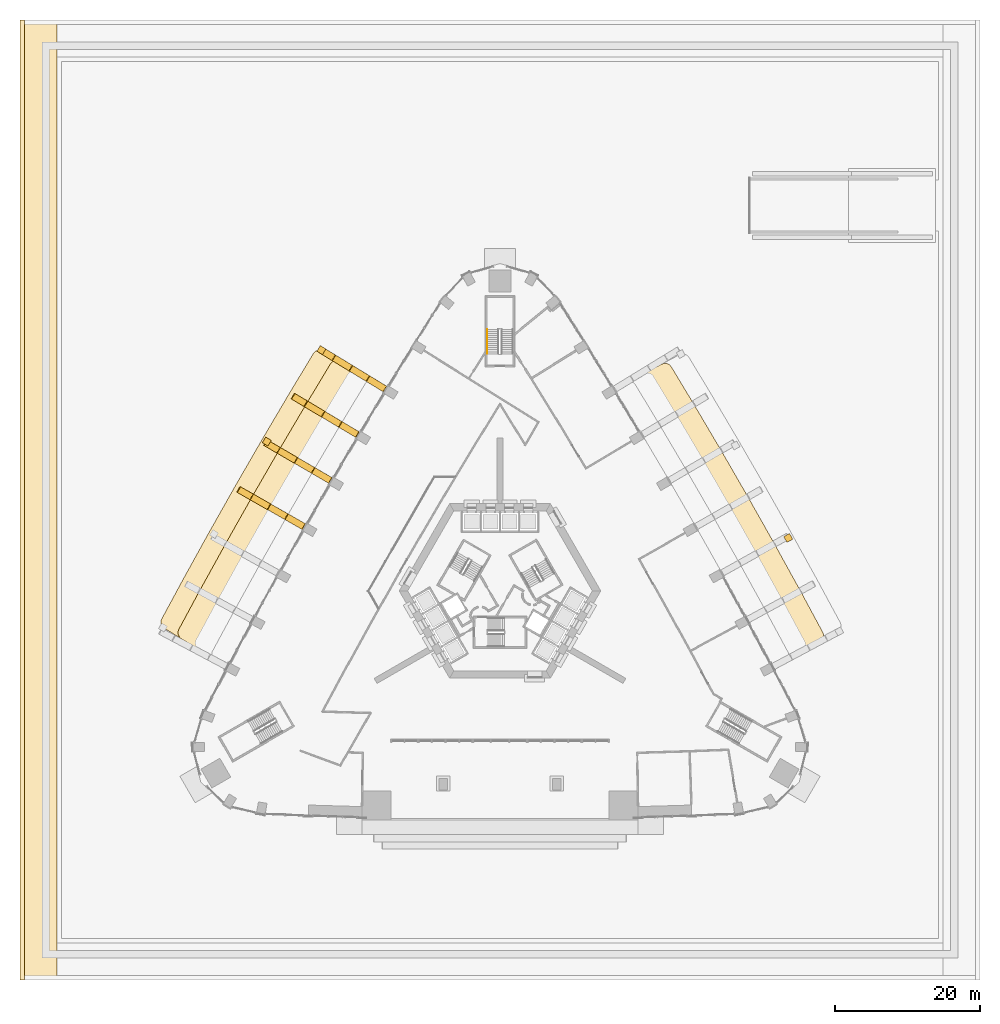
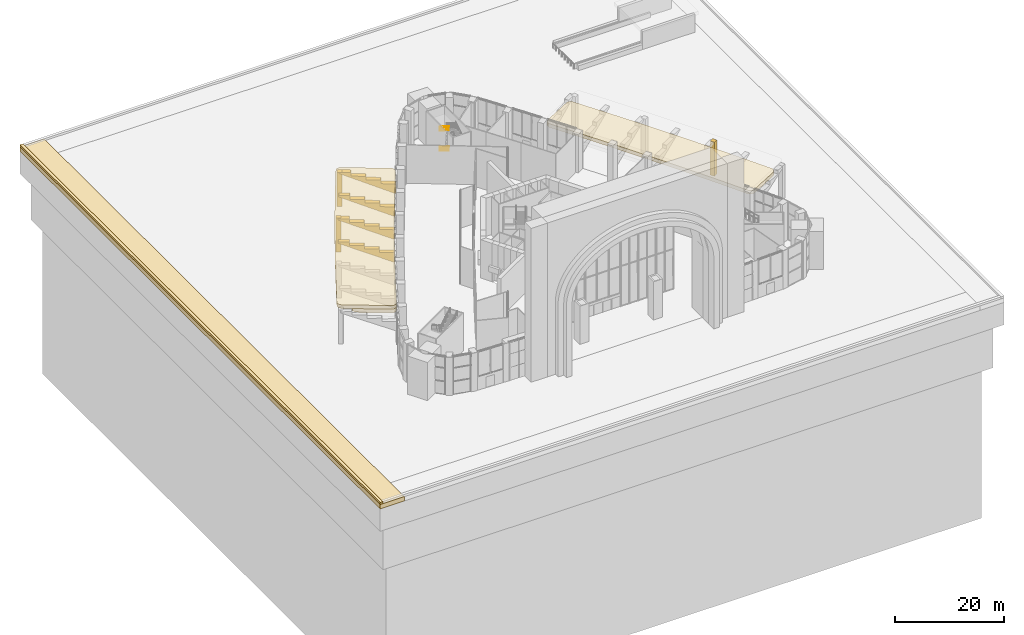
# One storey, part 32 of 36: 12 coverings, 2 railings.
"""IFC4 building model written with IfcOpenShell, lengths in metres."""

from ifc_helpers import new_model, si_unit, direction, frame, origin, origin_2d, place, context, subcontext, project, spatial, polyline, rectangle, circle, outline, extrude, material, layer, layer_set, type_object, element, save


model = new_model("IFC4")

# Units and contexts
model_context = context("Model", 3, precision=1e-05, world=origin(), true_north=direction((0.0, 1.0)))
body_context = subcontext(model_context, "Body", "Model", "MODEL_VIEW")
ifc_project = project(units=[si_unit("LENGTHUNIT", "METRE"), si_unit("AREAUNIT", "SQUARE_METRE"), si_unit("VOLUMEUNIT", "CUBIC_METRE"), si_unit("PLANEANGLEUNIT", "RADIAN"), si_unit("MASSUNIT", "GRAM", prefix="KILO")], contexts=[model_context])

# Site, building, storey
site_placement = place(None, origin())
site = spatial("IfcSite", under=ifc_project, at=site_placement, CompositionType="ELEMENT")
building_placement = place(site_placement, origin())
building = spatial("IfcBuilding", under=site, at=building_placement, Name="Entoto Arch Interchange Tower", CompositionType="ELEMENT")
storey_placement = place(building_placement, origin())
storey = spatial("IfcBuildingStorey", under=building, at=storey_placement, Name="L00", CompositionType="ELEMENT", Elevation=0.0)

# Coverings
ifc_material_1 = material(Name="Board-marked precast concrete C50/60", Category="concrete")
covering_type_1 = type_object("IfcCoveringType", Name="PRECAST FRAME COURSE", PredefinedType="CLADDING", material=ifc_material_1)
covering_1_placement = place(storey_placement, frame((0.0, 0.0, 6.800048828125)))
element("IfcCovering", 1, at=covering_1_placement, inside=storey, type_object=covering_type_1, Name="Street brow NE 2", PredefinedType="CLADDING", context=body_context, shape_type="SweptSolid", body=[
    extrude(outline(polyline([(26.617919921875, 28.23388671875), (26.6201171875, 28.22998046875), (26.657958984375, 28.166015625), (26.660888671875, 28.162109375), (30.3798828125, 21.861083984375), (30.383056640625, 21.85693359375), (30.419921875, 21.7919921875), (30.423095703125, 21.7880859375), (34.080078125, 15.452880859375), (34.0830078125, 15.448974609375), (34.1201171875, 15.383056640625), (34.123046875, 15.37890625), (37.718994140625, 9.007080078125), (37.721923828125, 9.0029296875), (37.758056640625, 8.93798828125), (37.760009765625, 8.93408203125), (41.294921875, 2.529052734375), (41.297119140625, 2.52490234375), (41.3330078125, 2.458984375), (41.3359375, 2.455078125), (44.35595703125, -3.14599609375), (44.39794921875, -3.23388671875), (44.431884765625, -3.326904296875), (44.4560546875, -3.423095703125), (44.469970703125, -3.52001953125), (44.47509765625, -3.617919921875), (44.470947265625, -3.717041015625), (44.4560546875, -3.81396484375), (44.43310546875, -3.909912109375), (44.39892578125, -4.0029296875), (44.35693359375, -4.092041015625), (44.306884765625, -4.176025390625), (44.248046875, -4.2548828125), (44.181884765625, -4.327880859375), (44.10888671875, -4.39404296875), (44.029052734375, -4.452880859375), (43.945068359375, -4.5029296875), (38.426025390625, -7.43701171875), (38.3369140625, -7.47802734375), (38.2451171875, -7.510986328125), (38.14990234375, -7.534912109375), (38.053955078125, -7.549072265625), (37.9560546875, -7.552978515625), (37.85791015625, -7.549072265625), (37.761962890625, -7.533935546875), (37.6669921875, -7.510986328125), (37.574951171875, -7.47802734375), (37.486083984375, -7.43603515625), (37.402099609375, -7.385986328125), (37.323974609375, -7.327880859375), (37.2509765625, -7.261962890625), (37.18505859375, -7.18994140625), (37.126953125, -7.112060546875), (37.075927734375, -7.028076171875), (34.074951171875, -1.462890625), (30.5380859375, 4.946044921875), (26.93896484375, 11.322021484375), (23.279052734375, 17.660888671875), (19.556884765625, 23.966064453125), (16.319091796875, 29.333984375), (16.27294921875, 29.41796875), (16.236083984375, 29.506103515625), (16.20703125, 29.596923828125), (16.18798828125, 29.69091796875), (16.177001953125, 29.785888671875), (16.175048828125, 29.881103515625), (16.18310546875, 29.97607421875), (16.198974609375, 30.071044921875), (16.22509765625, 30.1630859375), (16.259033203125, 30.251953125), (16.301025390625, 30.337890625), (16.35205078125, 30.4189453125), (16.409912109375, 30.4951171875), (16.47509765625, 30.56494140625), (16.5458984375, 30.6279296875), (16.623046875, 30.68505859375), (16.705078125, 30.73388671875), (22.23291015625, 33.6708984375), (22.323974609375, 33.714111328125), (22.4189453125, 33.7470703125), (22.51806640625, 33.77099609375), (22.617919921875, 33.784912109375), (22.718994140625, 33.7880859375), (22.820068359375, 33.781005859375), (22.9189453125, 33.763916015625), (23.01708984375, 33.737060546875), (23.111083984375, 33.700927734375), (23.200927734375, 33.655029296875), (23.285888671875, 33.60009765625), (23.364990234375, 33.537109375), (23.43701171875, 33.466064453125), (23.501953125, 33.387939453125), (23.55810546875, 33.304931640625), (26.617919921875, 28.23388671875)])), origin(), (0.0, 0.0, 1.0), 0.800048828125),
])
covering_2_placement = place(storey_placement, origin())
element("IfcCovering", 2, at=covering_2_placement, inside=storey, type_object=covering_type_1, Name="Brow post NE04", PredefinedType="CLADDING", context=body_context, shape_type="SweptSolid", body=[
    extrude(outline(polyline([(39.445068359375, 9.175048828125), (40.239990234375, 9.597900390625), (39.81689453125, 10.39208984375), (39.02294921875, 9.969970703125), (39.445068359375, 9.175048828125)])), origin(), (0.0, 0.0, 1.0), 7.60009765625),
])
covering_3_placement = place(storey_placement, frame((0.0, 0.0, 7.60009765625)))
element("IfcCovering", 3, at=covering_3_placement, inside=storey, type_object=covering_type_1, Name="Street brow NW 1", PredefinedType="CLADDING", context=body_context, shape_type="SweptSolid", body=[
    extrude(outline(polyline([(-43.756103515625, 3.760009765625), (-43.75390625, 3.763916015625), (-43.705078125, 3.85400390625), (-43.702880859375, 3.85791015625), (-40.16796875, 10.262939453125), (-40.166015625, 10.26708984375), (-40.115966796875, 10.35498046875), (-40.114013671875, 10.35888671875), (-36.51708984375, 16.73095703125), (-36.514892578125, 16.735107421875), (-36.464111328125, 16.823974609375), (-36.4619140625, 16.827880859375), (-32.803955078125, 23.1630859375), (-32.802001953125, 23.1669921875), (-32.7509765625, 23.2548828125), (-32.748046875, 23.259033203125), (-29.029052734375, 29.56005859375), (-29.02587890625, 29.56396484375), (-28.97509765625, 29.65087890625), (-28.971923828125, 29.655029296875), (-25.677978515625, 35.114013671875), (-25.623046875, 35.196044921875), (-25.56005859375, 35.27197265625), (-25.490966796875, 35.341064453125), (-25.4140625, 35.403076171875), (-25.33203125, 35.4580078125), (-25.2451171875, 35.50390625), (-25.154052734375, 35.541015625), (-25.05908203125, 35.569091796875), (-24.962890625, 35.5869140625), (-24.864990234375, 35.595947265625), (-24.76611328125, 35.595947265625), (-24.66796875, 35.5849609375), (-24.572021484375, 35.56591796875), (-24.47802734375, 35.535888671875), (-24.386962890625, 35.498046875), (-24.300048828125, 35.450927734375), (-16.62109375, 30.757080078125), (-16.5400390625, 30.701904296875), (-16.465087890625, 30.638916015625), (-16.39697265625, 30.569091796875), (-16.3349609375, 30.492919921875), (-16.281982421875, 30.412109375), (-16.236083984375, 30.324951171875), (-16.198974609375, 30.23388671875), (-16.1708984375, 30.14111328125), (-16.153076171875, 30.044921875), (-16.14404296875, 29.947021484375), (-16.14404296875, 29.85009765625), (-16.154052734375, 29.751953125), (-16.174072265625, 29.656005859375), (-16.202880859375, 29.56298828125), (-16.239990234375, 29.472900390625), (-16.287109375, 29.386962890625), (-19.552978515625, 23.97412109375), (-23.27490234375, 17.6689453125), (-26.93505859375, 11.330078125), (-30.533935546875, 4.9541015625), (-34.071044921875, -1.455078125), (-37.047119140625, -6.97412109375), (-37.095947265625, -7.055908203125), (-37.153076171875, -7.132080078125), (-37.217041015625, -7.202880859375), (-37.2880859375, -7.26806640625), (-37.364013671875, -7.325927734375), (-37.445068359375, -7.375), (-37.531005859375, -7.4169921875), (-37.62109375, -7.450927734375), (-37.712890625, -7.47607421875), (-37.806884765625, -7.491943359375), (-37.902099609375, -7.4990234375), (-37.998046875, -7.4970703125), (-38.093017578125, -7.485107421875), (-38.18603515625, -7.465087890625), (-38.277099609375, -7.43603515625), (-38.364990234375, -7.39794921875), (-38.448974609375, -7.35205078125), (-46.138916015625, -2.652099609375), (-46.221923828125, -2.594970703125), (-46.300048828125, -2.529052734375), (-46.3701171875, -2.45703125), (-46.43310546875, -2.3779296875), (-46.487060546875, -2.2919921875), (-46.531982421875, -2.201904296875), (-46.568115234375, -2.10791015625), (-46.594970703125, -2.010009765625), (-46.611083984375, -1.909912109375), (-46.616943359375, -1.80908203125), (-46.613037109375, -1.7080078125), (-46.59912109375, -1.60791015625), (-46.574951171875, -1.510009765625), (-46.541015625, -1.4150390625), (-46.498046875, -1.323974609375), (-43.756103515625, 3.760009765625)])), origin(), (0.0, 0.0, 1.0), 0.7998046875),
])
covering_4_placement = place(storey_placement, frame((0.0, 0.0, 6.800048828125)))
element("IfcCovering", 4, at=covering_4_placement, inside=storey, type_object=covering_type_1, Name="Street brow NW 2", PredefinedType="CLADDING", context=body_context, shape_type="SweptSolid", body=[
    extrude(outline(polyline([(-41.3359375, 2.455078125), (-41.3330078125, 2.458984375), (-41.297119140625, 2.52490234375), (-41.294921875, 2.529052734375), (-37.760009765625, 8.93408203125), (-37.758056640625, 8.93798828125), (-37.721923828125, 9.0029296875), (-37.718994140625, 9.007080078125), (-34.123046875, 15.37890625), (-34.1201171875, 15.383056640625), (-34.0830078125, 15.448974609375), (-34.080078125, 15.452880859375), (-30.423095703125, 21.7880859375), (-30.419921875, 21.7919921875), (-30.383056640625, 21.85693359375), (-30.3798828125, 21.861083984375), (-26.660888671875, 28.162109375), (-26.657958984375, 28.166015625), (-26.6201171875, 28.22998046875), (-26.617919921875, 28.23388671875), (-23.33203125, 33.679931640625), (-23.277099609375, 33.760986328125), (-23.214111328125, 33.8369140625), (-23.14404296875, 33.906982421875), (-23.068115234375, 33.968994140625), (-22.986083984375, 34.02294921875), (-22.89892578125, 34.069091796875), (-22.806884765625, 34.10595703125), (-22.712890625, 34.135009765625), (-22.615966796875, 34.153076171875), (-22.51806640625, 34.162109375), (-22.419921875, 34.162109375), (-22.322021484375, 34.15087890625), (-22.22509765625, 34.131103515625), (-22.131103515625, 34.10205078125), (-22.0400390625, 34.06298828125), (-21.9541015625, 34.01611328125), (-16.62109375, 30.757080078125), (-16.5400390625, 30.701904296875), (-16.465087890625, 30.638916015625), (-16.39697265625, 30.569091796875), (-16.3349609375, 30.492919921875), (-16.281982421875, 30.412109375), (-16.236083984375, 30.324951171875), (-16.198974609375, 30.23388671875), (-16.1708984375, 30.14111328125), (-16.153076171875, 30.044921875), (-16.14404296875, 29.947021484375), (-16.14404296875, 29.85009765625), (-16.154052734375, 29.751953125), (-16.174072265625, 29.656005859375), (-16.202880859375, 29.56298828125), (-16.239990234375, 29.472900390625), (-16.287109375, 29.386962890625), (-19.552978515625, 23.97412109375), (-23.27490234375, 17.6689453125), (-26.93505859375, 11.330078125), (-30.533935546875, 4.9541015625), (-34.071044921875, -1.455078125), (-37.047119140625, -6.97412109375), (-37.095947265625, -7.055908203125), (-37.153076171875, -7.132080078125), (-37.217041015625, -7.202880859375), (-37.2880859375, -7.26806640625), (-37.364013671875, -7.325927734375), (-37.445068359375, -7.375), (-37.531005859375, -7.4169921875), (-37.62109375, -7.450927734375), (-37.712890625, -7.47607421875), (-37.806884765625, -7.491943359375), (-37.902099609375, -7.4990234375), (-37.998046875, -7.4970703125), (-38.093017578125, -7.485107421875), (-38.18603515625, -7.465087890625), (-38.277099609375, -7.43603515625), (-38.364990234375, -7.39794921875), (-38.448974609375, -7.35205078125), (-43.7890625, -4.087890625), (-43.873046875, -4.031005859375), (-43.949951171875, -3.966064453125), (-44.02001953125, -3.89306640625), (-44.0830078125, -3.81396484375), (-44.136962890625, -3.72900390625), (-44.18310546875, -3.637939453125), (-44.218994140625, -3.5439453125), (-44.2451171875, -3.446044921875), (-44.260986328125, -3.346923828125), (-44.26806640625, -3.24609375), (-44.263916015625, -3.14501953125), (-44.2490234375, -3.044921875), (-44.22509765625, -2.947021484375), (-44.19091796875, -2.85107421875), (-44.14794921875, -2.760009765625), (-41.3359375, 2.455078125)])), origin(), (0.0, 0.0, 1.0), 0.800048828125),
])
covering_5_placement = place(storey_placement, frame((-15.715087890625, 30.72998046875, 3.0869140625), z_axis=(0.521558469839, 0.85321021557, 0.003015059867), x_axis=(0.809764755496, -0.493881211733, -0.31680023588)))
element("IfcCovering", 5, at=covering_5_placement, inside=storey, type_object=covering_type_1, Name="Brow rib NW03", PredefinedType="CLADDING", context=body_context, shape_type="SweptSolid", body=[
    extrude(outline(polyline([(0.0, 0.0), (0.028515744523550324, 3.469446951953614e-18), (0.0583577432753828, -0.006879423477433325), (0.09622573302851531, -0.026991766888108462), (0.11820158885634213, -0.045914414866362545), (0.13668726734120693, -0.06882052741442847), (0.15496180610231106, -0.10993053616624723), (0.16122029902837434, -0.13930545272801043), (0.1565433018728774, -0.18304517267432546), (-0.4238639748886552, -1.9281801380430832), (-0.44556885793731293, -1.9672626332212784), (-0.47561719663785174, -1.9984097566440517), (-0.5136993919581329, -2.020438995070681), (-0.5577437006208031, -2.029924070954441), (-0.5857523734404919, -2.0290634406208086), (-0.6155943721923244, -2.0221840171433754), (-3.0800754439150437, -1.199034013602392), (-3.291859241701927, -1.8294539708782378), (-3.316161767245956, -1.8656098799560161), (-3.348282881316271, -1.8950354263071914), (-3.3889716168427895, -1.9131052589521782), (-3.434840353726737, -1.9176043613733629), (-3.47688490908962, -1.9099964917166568), (-5.941168284338829, -1.08691211515715), (-6.153149778599223, -1.717266445451519), (-6.17757288061096, -1.753381419144657), (-6.211757872340186, -1.78211820810546), (-6.252171567585607, -1.800022103403146), (-6.294660102385651, -1.8059087123925877), (-6.340162203640026, -1.7971449004964017), (-8.804643275362746, -0.9739948969554182), (-9.011631757079174, -1.5900578658470774), (-9.022899547841053, -1.6169252635811922), (-9.050857315750083, -1.6518596034380142), (-9.087373807404449, -1.6764710492698747), (-9.126627345536049, -1.6909014796359019), (-9.1714562779721, -1.6916299258151755), (-9.19998195229894, -1.6854492515156272), (-10.956594611575511, -1.0987301103786065), (-10.996835854217904, -1.078855266892667), (-11.028652423266808, -1.0481506557437585), (-11.051587673891554, -1.0088294140450866), (-11.059766542558853, -0.9672303384431382), (-11.059807517666222, -0.9376160425522313), (-11.053949471697903, -0.9079120608916798), (-11.039026438571023, -0.8822662323785222), (-11.0248083974233, -0.8576716631431331), (-11.001877977007489, -0.837789004656829), (-10.97808684490492, -0.8215398128535236), (-10.950244045397907, -0.811791298852452), (-10.920379121196108, -0.8070943852954318), (0.0, 0.0)])), origin(), (0.0, 0.0, -1.0), 0.89990234375),
])
covering_6_placement = place(storey_placement, origin())
element("IfcCovering", 6, at=covering_6_placement, inside=storey, type_object=covering_type_1, Name="Brow post NW03", PredefinedType="CLADDING", context=body_context, shape_type="SweptSolid", body=[
    extrude(outline(polyline([(-23.943115234375, 35.759033203125), (-24.7099609375, 36.22900390625), (-25.179931640625, 35.4609375), (-24.412109375, 34.990966796875), (-23.943115234375, 35.759033203125)])), origin(), (0.0, 0.0, 1.0), 7.60009765625),
])
covering_7_placement = place(storey_placement, frame((-19.5029296875, 24.462890625, 3.0869140625), z_axis=(0.512933442074, 0.858423421916, 0.002917654472), x_axis=(0.816517050152, -0.486838467137, -0.310303422036)))
element("IfcCovering", 7, at=covering_7_placement, inside=storey, type_object=covering_type_1, Name="Brow rib NW04", PredefinedType="CLADDING", context=body_context, shape_type="SweptSolid", body=[
    extrude(outline(polyline([(0.0, 0.0), (0.029113693885988407, -1.734723475976807e-18), (0.05760625410943953, -0.006218706478724077), (0.09779851850460868, -0.026787006621568236), (0.1219728914585121, -0.04623473804727113), (0.13921892675387024, -0.0685572419426795), (0.15681755364136446, -0.10922912129080824), (0.16188314197178932, -0.13810437670142683), (0.15762417424388311, -0.18191475524752193), (-0.41100317516738305, -1.9309226664689323), (-0.4302520852321674, -1.970866858677245), (-0.46120060041503674, -2.0018559367109563), (-0.4977385460977913, -2.0246005760934813), (-0.5435878058675351, -2.033774991508026), (-0.5704471380614411, -2.033482442674722), (-0.5991390432678395, -2.0271990508202786), (-3.0730559737347067, -1.2196685052695195), (-3.2805392022892637, -1.8515169228869082), (-3.3012522390370242, -1.8889291657820175), (-3.333967911588452, -1.918314647130383), (-3.3766009595980337, -1.935986609766485), (-3.4211623389540526, -1.9412155265126327), (-3.4640538524345894, -1.9336359296634178), (-5.934627786724963, -1.1271971307247566), (-6.1421110152795215, -1.7590455483421454), (-6.166285905251415, -1.7953266043622231), (-6.199001577802843, -1.824712085710589), (-6.237897669933949, -1.8433478324404768), (-6.28273415194431, -1.8487441519678702), (-6.325545177489541, -1.8411898002314404), (-8.797591264885215, -1.0342698133624495), (-8.998985852643253, -1.6521847080655814), (-9.011462868763461, -1.6786720118693301), (-9.037589089741854, -1.7143172640948539), (-9.074851953843414, -1.7388791684701612), (-9.116154022063025, -1.7528771608577642), (-9.158429815537312, -1.754744484271371), (-9.187116990479797, -1.7487184256866777), (-10.949196444907685, -1.1735440079988817), (-10.988100729835494, -1.154424688677159), (-11.021119015108148, -1.1236152557180836), (-11.042846142917329, -1.0849334611741153), (-11.053577018472668, -1.042651375779756), (-11.050477415475758, -1.0141295616835295), (-11.046572406124737, -0.9838157277073059), (-11.03214405899803, -0.9579642276981106), (-11.015824967191213, -0.9340130979069454), (-10.994504137805889, -0.9134930161470503), (-10.970625816989267, -0.8971465124155111), (-10.944321618475225, -0.886727574562518), (-10.914290806110166, -0.8818917552960697), (0.0, 0.0)])), origin(), (0.0, 0.0, -1.0), 0.89990234375),
])
covering_8_placement = place(storey_placement, frame((-23.22900390625, 18.157958984375, 3.0869140625), z_axis=(0.504283128731, 0.863533552226, 0.002886218547), x_axis=(0.821374542816, -0.478626276299, -0.310259162716)))
element("IfcCovering", 8, at=covering_8_placement, inside=storey, type_object=covering_type_1, Name="Brow rib NW05", PredefinedType="CLADDING", context=body_context, shape_type="SweptSolid", body=[
    extrude(outline(polyline([(0.0, 0.0), (0.029115232413463452, 0.0), (0.0566541761919674, -0.005906142022426945), (0.09605649632982405, -0.026212967769199697), (0.12043054868384767, -0.0457249578283846), (0.13620622657782838, -0.06756646556664053), (0.15587582188029797, -0.108913265790781), (0.1609445272236655, -0.13778929501834908), (0.1587561484455552, -0.1822748322283217), (-0.4131838527768049, -1.9302009258019668), (-0.43243166283629697, -1.9701455867033417), (-0.46190919788042384, -2.0016157986226983), (-0.500719809672976, -2.0236200250653082), (-0.5419544953856558, -2.0343029411707043), (-0.5742247801305699, -2.0322447121660825), (-0.6016468717908366, -2.0263773467861674), (-3.0730243192814344, -1.219803305256962), (-3.2804956206673626, -1.8516556406974343), (-3.3032807670534465, -1.8883921916101114), (-3.3359970332050293, -1.9177778784679314), (-3.377356722401852, -1.935867142248163), (-3.419375367021159, -1.9419288111653572), (-3.4630685488117257, -1.9340898649090081), (-5.935715528352241, -1.1271004260120416), (-6.14318682973817, -1.758952761452514), (-6.165971976124254, -1.795689312365191), (-6.198688242275836, -1.8250749992230104), (-6.238702652556843, -1.843347568663784), (-6.2820665760919665, -1.8492259319204365), (-6.325759757882533, -1.8413869856640879), (-8.798406737423047, -1.0343975467671216), (-8.999795348955173, -1.6523143703702599), (-9.012467796686265, -1.6787383486542051), (-9.037324598699236, -1.7147992114014103), (-9.074585851016078, -1.7393621557241632), (-9.116688393867188, -1.753101040665924), (-9.160836276308938, -1.7543581567343747), (-9.18845096695334, -1.7486841064191676), (-10.950758801229544, -1.1735266520918186), (-10.988592984098348, -1.1547588086399672), (-11.020140396553453, -1.1244308655703827), (-11.042866356739474, -1.0854255693746246), (-11.053597867110426, -1.0431437047483056), (-11.052688859475262, -1.0139068472119526), (-11.046713182646666, -0.9842684816907257), (-11.035627649977972, -0.9573252566970796), (-11.019190625322596, -0.9334131132801735), (-10.997987837543048, -0.9128536088699937), (-10.972039532704, -0.8971819196943103), (-10.945534509556019, -0.8868277528284869), (-10.914787487706366, -0.8822246953266104), (0.0, 0.0)])), origin(), (0.0, 0.0, -1.0), 0.89990234375),
])
covering_9_placement = place(storey_placement, origin())
element("IfcCovering", 9, at=covering_9_placement, inside=storey, type_object=covering_type_1, Name="Brow post NW05", PredefinedType="CLADDING", context=body_context, shape_type="SweptSolid", body=[
    extrude(outline(polyline([(-31.447021484375, 23.18603515625), (-32.214111328125, 23.656005859375), (-32.68408203125, 22.887939453125), (-31.916015625, 22.41796875), (-31.447021484375, 23.18603515625)])), origin(), (0.0, 0.0, 1.0), 7.60009765625),
])
covering_10_placement = place(storey_placement, frame((-26.89501953125, 11.820068359375, 3.0869140625), z_axis=(0.495629101998, 0.868529307869, 0.002938473198), x_axis=(0.828764271829, -0.471919583645, -0.300735246209)))
element("IfcCovering", 10, at=covering_10_placement, inside=storey, type_object=covering_type_1, Name="Brow rib NW06", PredefinedType="CLADDING", context=body_context, shape_type="SweptSolid", body=[
    extrude(outline(polyline([(0.0, 0.0), (0.030037230392500457, 0.0), (0.05959623787358523, -0.006249047133107713), (0.09813040080604339, -0.025823416307782197), (0.12122249768776838, -0.04462540027647026), (0.13961163722778241, -0.06706408245303219), (0.15810189941813707, -0.10770967594805425), (0.16230464495651833, -0.13616944721462085), (0.1604433172757534, -0.18063715028526012), (-0.39057125235123635, -1.9352742873529365), (-0.4114111881058439, -1.974780284234046), (-0.4407757159205584, -2.0064794851208085), (-0.47789305728593084, -2.0293345622813175), (-0.5233785490207709, -2.0390546084052845), (-0.5509273387204754, -2.0388156227778973), (-0.5802840111742582, -2.032630005979798), (-3.058744317904435, -1.251086427485749), (-3.259902825354302, -1.8849767641046344), (-3.2845168009820958, -1.9212458679849902), (-3.3156671812197525, -1.9513583375388799), (-3.355455535585227, -1.9702988923171298), (-3.3994905235462904, -1.9761241282095667), (-3.4419894577910806, -1.9691229937756618), (-5.9225293037080755, -1.186924034670278), (-6.123687811157943, -1.8208143712891636), (-6.1461070328568175, -1.8577758402636706), (-6.180607151358903, -1.886831269934925), (-6.218964764670597, -1.9059670921562828), (-6.263275509349931, -1.9119617353940959), (-6.30557210856742, -1.9050240312951994), (-8.787382153562026, -1.1224234129185149), (-8.980523563165278, -1.742971837719006), (-8.99134028357742, -1.7700241410734412), (-9.019303997469642, -1.8052362050711612), (-9.055131508203253, -1.8305459339510732), (-9.095939869442141, -1.8450687207490182), (-9.140879649534517, -1.8465131731439675), (-9.17051207870657, -1.840496963691244), (-10.935027799738487, -1.284084781206087), (-10.977320602441354, -1.2643477383874986), (-11.006510275295673, -1.2351771581857731), (-11.031701846689279, -1.1957456192239562), (-11.041581966877027, -1.1539752616284682), (-11.040762503795749, -1.1247941427961172), (-11.03528370909828, -1.0950346378911666), (-11.024264653658836, -1.0680457648717403), (-11.00619101032137, -1.0445624355073497), (-10.984992125243757, -1.0238558859754856), (-10.960675764060305, -1.0074605416591003), (-10.934275763404505, -0.9968424211680498), (-10.904849638379439, -0.9915302869490232), (0.0, 0.0)])), origin(), (0.0, 0.0, -1.0), 0.89990234375),
])
ifc_layer_1 = layer(ifc_material_1, 1.0)
ifc_layer_set_1 = layer_set([ifc_layer_1], Name="Board-marked precast concrete C50/60")
covering_type_2 = type_object("IfcCoveringType", Name="SITE APRON PAVING 1000", PredefinedType="CLADDING", material=ifc_layer_set_1)
covering_11_placement = place(storey_placement, frame((-63.449951171875, 15.0, -1.0), z_axis=(0.0, 0.0, 1.0), x_axis=(1.0, 0.0, 0.0)))
element("IfcCovering", 11, at=covering_11_placement, inside=storey, type_object=covering_type_2, Name="Site apron west", PredefinedType="CLADDING", context=body_context, shape_type="SweptSolid", body=[
    extrude(rectangle(XDim=5.10009765625, YDim=132.0, at=origin_2d()), origin(), (0.0, 0.0, 1.0), 1.0),
])
ifc_layer_2 = layer(ifc_material_1, 0.60009765625)
ifc_layer_set_2 = layer_set([ifc_layer_2], Name="Board-marked precast concrete C50/60")
covering_type_3 = type_object("IfcCoveringType", Name="SITE KERB PRECAST 600", PredefinedType="CLADDING", material=ifc_layer_set_2)
covering_12_placement = place(storey_placement, frame((-65.699951171875, 15.0, 0.0), z_axis=(0.0, 0.0, 1.0), x_axis=(1.0, 0.0, 0.0)))
element("IfcCovering", 12, at=covering_12_placement, inside=storey, type_object=covering_type_3, Name="Site kerb west", PredefinedType="CLADDING", context=body_context, shape_type="SweptSolid", body=[
    extrude(rectangle(XDim=0.60009765625, YDim=132.0, at=origin_2d()), origin(), (0.0, 0.0, 1.0), 0.449951171875),
])

# Railings
ifc_material_2 = material(Name="Stainless steel 1.4301", Category="steel")
railing_type = type_object("IfcRailingType", Name="STAIR HANDRAIL 900 STEEL", PredefinedType="HANDRAIL", material=ifc_material_2)
for number, where, name in (
    (13, (-1.75, 38.4599609375, 2.423095703125), "L00 PST-N stair handrail 2"),
    (14, (-1.75, 38.4599609375, 6.923095703125), "L00 PST-N stair handrail 4"),
):
    element("IfcRailing", number, at=place(storey_placement, frame(where)), inside=storey, type_object=railing_type, Name=name, PredefinedType="HANDRAIL", context=body_context, shape_type="SweptSolid", body=[
        extrude(circle(Radius=0.02392578125, at=origin_2d()), frame((0.0, 0.0, 0.8759765625), z_axis=(0.0, -0.850606129759, 0.525803396734), x_axis=(1.0, 0.0, 0.0)), (0.0, 0.0, 1.0), 3.949951171875),
        extrude(circle(Radius=0.02099609375, at=origin_2d()), origin(), (0.0, 0.0, 1.0), 0.851806640625),
        extrude(circle(Radius=0.02099609375, at=origin_2d()), frame((0.0, -0.83984375, 0.519287109375)), (0.0, 0.0, 1.0), 0.851806640625),
        extrude(circle(Radius=0.02099609375, at=origin_2d()), frame((0.0, -1.679931640625, 1.03857421875)), (0.0, 0.0, 1.0), 0.851806640625),
        extrude(circle(Radius=0.02099609375, at=origin_2d()), frame((0.0, -2.52001953125, 1.5576171875)), (0.0, 0.0, 1.0), 0.851806640625),
        extrude(circle(Radius=0.02099609375, at=origin_2d()), frame((0.0, -3.35986328125, 2.076904296875)), (0.0, 0.0, 1.0), 0.851806640625),
    ])

save(model, "model.ifc")
